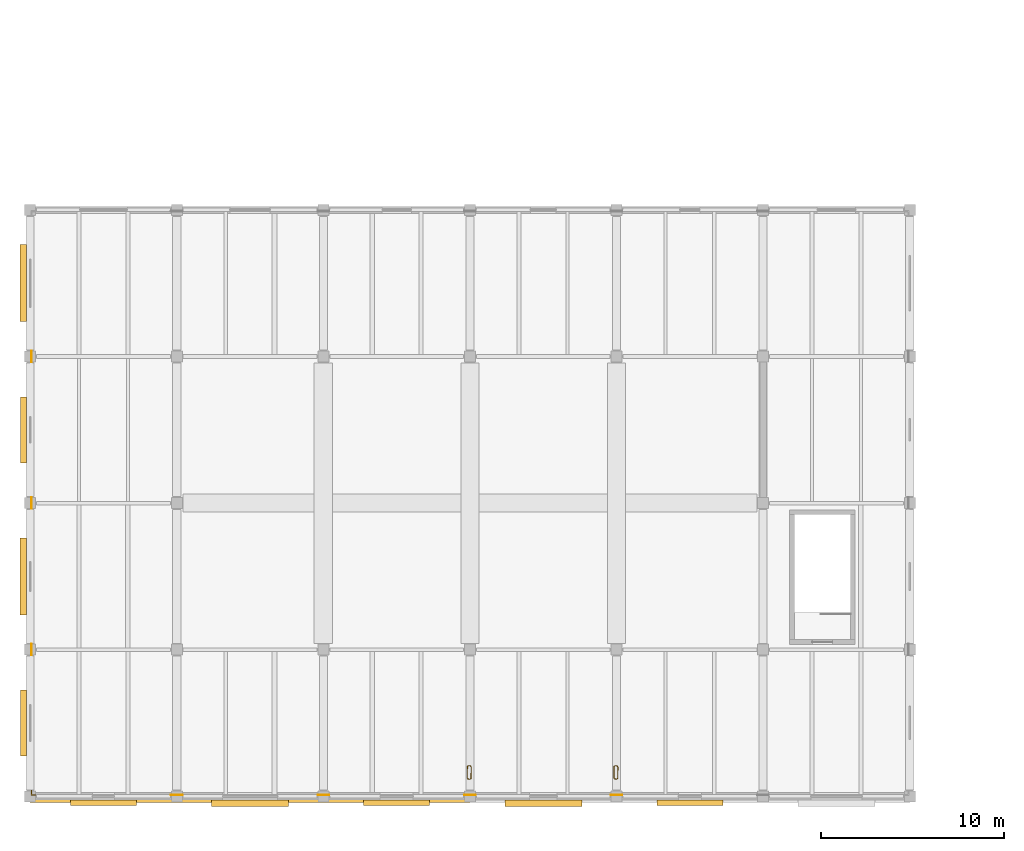
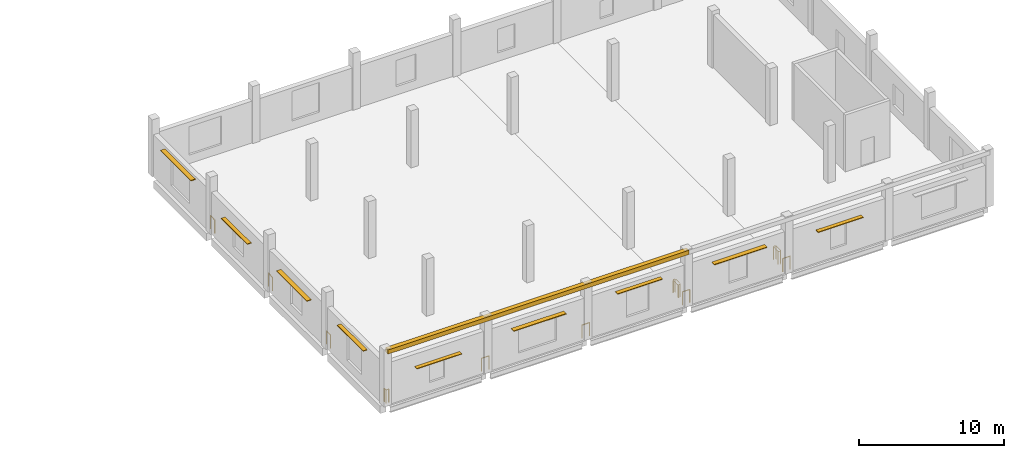
# One storey, part 37 of 52: 10 railings, 9 shading devices, 1 covering.
"""IFC4 building model written with IfcOpenShell, lengths in metres."""

from ifc_helpers import new_model, si_unit, direction, frame, origin, origin_2d, place, context, subcontext, project, spatial, polyline, rectangle, circle, outline, extrude, material, layer, layer_set, type_object, element, save


model = new_model("IFC4")

# Units and contexts
model_context = context("Model", 3, precision=1e-05, world=origin(), true_north=direction((0.0, 1.0)))
body_context = subcontext(model_context, "Body", "Model", "MODEL_VIEW")
ifc_project = project(units=[si_unit("LENGTHUNIT", "METRE"), si_unit("AREAUNIT", "SQUARE_METRE"), si_unit("VOLUMEUNIT", "CUBIC_METRE"), si_unit("PLANEANGLEUNIT", "RADIAN"), si_unit("MASSUNIT", "GRAM", prefix="KILO")], contexts=[model_context])

# Site, building, storey
site_placement = place(None, origin())
site = spatial("IfcSite", under=ifc_project, at=site_placement, CompositionType="ELEMENT")
building_placement = place(site_placement, origin())
building = spatial("IfcBuilding", under=site, at=building_placement, Name="Pecanmere Concourse Central Library", CompositionType="ELEMENT")
storey_placement = place(building_placement, frame((0.0, 0.0, 10.5)))
storey = spatial("IfcBuildingStorey", under=building, at=storey_placement, Name="L03", CompositionType="ELEMENT", Elevation=10.5)

# Covering
ifc_material_1 = material(Name="Texas cream limestone ashlar masonry", Category="masonry")
ifc_layer = layer(ifc_material_1, 0.06005859375, Name="COV_CLAD_CORNICE")
ifc_layer_set = layer_set([ifc_layer], Name="Texas cream limestone ashlar masonry")
covering_type = type_object("IfcCoveringType", Name="COV_CLAD_CORNICE", PredefinedType="CLADDING", material=ifc_layer_set)
covering_placement = place(storey_placement, frame((0.0, 0.0, 4.39990234375)))
element("IfcCovering", 1, at=covering_placement, inside=storey, type_object=covering_type, Name="Classical Entablature Cornice 01", PredefinedType="CLADDING", context=body_context, shape_type="SweptSolid", body=[
    extrude(outline(polyline([(0.0, -0.35009765625), (24.0, -0.35009765625), (24.0, 0.0), (0.0, 0.0), (0.0, -0.35009765625)])), origin(), (0.0, 0.0, 1.0), 0.35009765625),
])

# Railings
ifc_material_2 = material(Name="Architectural anodized bronze")
railing_type = type_object("IfcRailingType", Name="RAIL_ATRIUM_BAL", PredefinedType="BALUSTRADE", material=ifc_material_2)
for number, where, name in (
    (2, (32.294921875, 0.0703125, 0.0), "Deck Edge Protective Balustrade L03-150"),
    (3, (24.294921875, 0.070068359375, 0.0), "Deck Edge Protective Balustrade L03-151"),
    (4, (16.294921875, 0.070068359375, 0.0), "Deck Edge Protective Balustrade L03-152"),
    (5, (8.294921875, 0.070068359375, 0.0), "Deck Edge Protective Balustrade L03-153"),
):
    element("IfcRailing", number, at=place(storey_placement, frame(where)), inside=storey, type_object=railing_type, Name=name, PredefinedType="BALUSTRADE", context=body_context, shape_type="SweptSolid", body=[
        extrude(circle(Radius=0.02392578125, at=origin_2d()), frame((0.0, 0.0, 1.09619140625), z_axis=(-1.0, 0.0, 0.0), x_axis=(0.0, -1.0, 0.0)), (0.0, 0.0, 1.0), 0.58984375),
        extrude(circle(Radius=0.02099609375, at=origin_2d()), origin(), (0.0, 0.0, 1.0), 1.072021484375),
        extrude(circle(Radius=0.02099609375, at=origin_2d()), frame((-0.58984375, 0.0, 0.0)), (0.0, 0.0, 1.0), 1.072021484375),
    ])
railing_1_placement = place(storey_placement, frame((0.294921875, 0.070068359375, 0.0)))
element("IfcRailing", 6, at=railing_1_placement, inside=storey, type_object=railing_type, Name="Deck Edge Protective Balustrade L03-154", PredefinedType="BALUSTRADE", context=body_context, shape_type="SweptSolid", body=[
    extrude(circle(Radius=0.02392578125, at=origin_2d()), frame((0.0, 0.0, 1.09619140625), z_axis=(-1.0, 0.0, 0.0), x_axis=(0.0, -1.0, 0.0)), (0.0, 0.0, 1.0), 0.224609375),
    extrude(circle(Radius=0.02392578125, at=origin_2d()), frame((-0.224609375, 0.0, 1.09619140625), z_axis=(0.0, 1.0, 0.0), x_axis=(-1.0, 0.0, 0.0)), (0.0, 0.0, 1.0), 0.224853515625),
    extrude(circle(Radius=0.02099609375, at=origin_2d()), origin(), (0.0, 0.0, 1.0), 1.072021484375),
    extrude(circle(Radius=0.02099609375, at=origin_2d()), frame((-0.224609375, 0.0, 0.0)), (0.0, 0.0, 1.0), 1.072021484375),
    extrude(circle(Radius=0.02099609375, at=origin_2d()), frame((-0.224609375, 0.224853515625, 0.0)), (0.0, 0.0, 1.0), 1.072021484375),
])
for number, where, name in (
    (7, (0.0703125, 7.705078125, 0.0), "Deck Edge Protective Balustrade L03-155"),
    (8, (0.070068359375, 15.705078125, 0.0), "Deck Edge Protective Balustrade L03-156"),
    (9, (0.070068359375, 23.705078125, 0.0), "Deck Edge Protective Balustrade L03-157"),
):
    element("IfcRailing", number, at=place(storey_placement, frame(where)), inside=storey, type_object=railing_type, Name=name, PredefinedType="BALUSTRADE", context=body_context, shape_type="SweptSolid", body=[
        extrude(circle(Radius=0.02392578125, at=origin_2d()), frame((0.0, 0.0, 1.09619140625), z_axis=(0.0, 1.0, 0.0), x_axis=(-1.0, 0.0, 0.0)), (0.0, 0.0, 1.0), 0.58984375),
        extrude(circle(Radius=0.02099609375, at=origin_2d()), origin(), (0.0, 0.0, 1.0), 1.072021484375),
        extrude(circle(Radius=0.02099609375, at=origin_2d()), frame((0.0, 0.58984375, 0.0)), (0.0, 0.0, 1.0), 1.072021484375),
    ])
railing_2_placement = place(storey_placement, frame((31.996826171875, 0.930419921875, 0.0)))
element("IfcRailing", 10, at=railing_2_placement, inside=storey, type_object=railing_type, Name="Deck Edge Protective Balustrade L03-159", PredefinedType="BALUSTRADE", context=body_context, shape_type="SweptSolid", body=[
    extrude(circle(Radius=0.02392578125, at=origin_2d()), frame((0.0, 0.0, 1.09619140625), z_axis=(0.806311430369, 0.591491231767, 0.0), x_axis=(-0.591491231767, 0.806311430369, 0.0)), (0.0, 0.0, 1.0), 0.0830078125),
    extrude(circle(Radius=0.02392578125, at=origin_2d()), frame((0.06689453125, 0.049072265625, 1.09619140625), z_axis=(0.009489489668, 0.999954973779, 0.0), x_axis=(-0.999954973779, 0.009489489668, 0.0)), (0.0, 0.0, 1.0), 0.617431640625),
    extrude(circle(Radius=0.02392578125, at=origin_2d()), frame((0.07275390625, 0.66650390625, 1.09619140625), z_axis=(-0.591491231767, 0.806311430369, 0.0), x_axis=(-0.806311430369, -0.591491231767, 0.0)), (0.0, 0.0, 1.0), 0.0830078125),
    extrude(circle(Radius=0.02392578125, at=origin_2d()), frame((0.023681640625, 0.7333984375, 1.09619140625), z_axis=(-0.998195860289, 0.060041856258, 0.0), x_axis=(-0.060041856258, -0.998195860289, 0.0)), (0.0, 0.0, 1.0), 0.09765625),
    extrude(circle(Radius=0.02392578125, at=origin_2d()), frame((-0.07373046875, 0.7392578125, 1.09619140625), z_axis=(-0.806311430369, -0.591491231767, 0.0), x_axis=(0.591491231767, -0.806311430369, 0.0)), (0.0, 0.0, 1.0), 0.0830078125),
    extrude(circle(Radius=0.02392578125, at=origin_2d()), frame((-0.140625, 0.690185546875, 1.09619140625), z_axis=(-0.009489489668, -0.999954973779, 0.0), x_axis=(0.999954973779, -0.009489489668, 0.0)), (0.0, 0.0, 1.0), 0.617431640625),
    extrude(circle(Radius=0.02392578125, at=origin_2d()), frame((-0.146484375, 0.07275390625, 1.09619140625), z_axis=(0.591491231767, -0.806311430369, 0.0), x_axis=(0.806311430369, 0.591491231767, 0.0)), (0.0, 0.0, 1.0), 0.0830078125),
    extrude(circle(Radius=0.02392578125, at=origin_2d()), frame((-0.097412109375, 0.005859375, 1.09619140625), z_axis=(0.998195860289, -0.060041856258, 0.0), x_axis=(0.060041856258, 0.998195860289, 0.0)), (0.0, 0.0, 1.0), 0.09765625),
    extrude(circle(Radius=0.02099609375, at=origin_2d()), origin(), (0.0, 0.0, 1.0), 1.072021484375),
    extrude(circle(Radius=0.02099609375, at=origin_2d()), frame((0.06689453125, 0.049072265625, 0.0)), (0.0, 0.0, 1.0), 1.072021484375),
    extrude(circle(Radius=0.02099609375, at=origin_2d()), frame((0.07275390625, 0.66650390625, 0.0)), (0.0, 0.0, 1.0), 1.072021484375),
    extrude(circle(Radius=0.02099609375, at=origin_2d()), frame((0.023681640625, 0.7333984375, 0.0)), (0.0, 0.0, 1.0), 1.072021484375),
    extrude(circle(Radius=0.02099609375, at=origin_2d()), frame((-0.07373046875, 0.7392578125, 0.0)), (0.0, 0.0, 1.0), 1.072021484375),
    extrude(circle(Radius=0.02099609375, at=origin_2d()), frame((-0.140625, 0.690185546875, 0.0)), (0.0, 0.0, 1.0), 1.072021484375),
    extrude(circle(Radius=0.02099609375, at=origin_2d()), frame((-0.146484375, 0.07275390625, 0.0)), (0.0, 0.0, 1.0), 1.072021484375),
    extrude(circle(Radius=0.02099609375, at=origin_2d()), frame((-0.097412109375, 0.005859375, 0.0)), (0.0, 0.0, 1.0), 1.072021484375),
])
railing_3_placement = place(storey_placement, frame((24.069580078125, 1.596923828125, 0.0)))
element("IfcRailing", 11, at=railing_3_placement, inside=storey, type_object=railing_type, Name="Deck Edge Protective Balustrade L03-160", PredefinedType="BALUSTRADE", context=body_context, shape_type="SweptSolid", body=[
    extrude(circle(Radius=0.02392578125, at=origin_2d()), frame((0.0, 0.0, 1.09619140625), z_axis=(-0.591491231767, 0.806311430369, 0.0), x_axis=(-0.806311430369, -0.591491231767, 0.0)), (0.0, 0.0, 1.0), 0.0830078125),
    extrude(circle(Radius=0.02392578125, at=origin_2d()), frame((-0.049072265625, 0.06689453125, 1.09619140625), z_axis=(-0.998195860289, 0.060041856258, 0.0), x_axis=(-0.060041856258, -0.998195860289, 0.0)), (0.0, 0.0, 1.0), 0.09765625),
    extrude(circle(Radius=0.02392578125, at=origin_2d()), frame((-0.146484375, 0.07275390625, 1.09619140625), z_axis=(-0.806311430369, -0.591491231767, 0.0), x_axis=(0.591491231767, -0.806311430369, 0.0)), (0.0, 0.0, 1.0), 0.0830078125),
    extrude(circle(Radius=0.02392578125, at=origin_2d()), frame((-0.21337890625, 0.023681640625, 1.09619140625), z_axis=(-0.009489489668, -0.999954973779, 0.0), x_axis=(0.999954973779, -0.009489489668, 0.0)), (0.0, 0.0, 1.0), 0.617431640625),
    extrude(circle(Radius=0.02392578125, at=origin_2d()), frame((-0.21923828125, -0.59375, 1.09619140625), z_axis=(0.591491231767, -0.806311430369, 0.0), x_axis=(0.806311430369, 0.591491231767, 0.0)), (0.0, 0.0, 1.0), 0.0830078125),
    extrude(circle(Radius=0.02392578125, at=origin_2d()), frame((-0.170166015625, -0.66064453125, 1.09619140625), z_axis=(0.998195860289, -0.060041856258, 0.0), x_axis=(0.060041856258, 0.998195860289, 0.0)), (0.0, 0.0, 1.0), 0.09765625),
    extrude(circle(Radius=0.02392578125, at=origin_2d()), frame((-0.07275390625, -0.66650390625, 1.09619140625), z_axis=(0.806311430369, 0.591491231767, 0.0), x_axis=(-0.591491231767, 0.806311430369, 0.0)), (0.0, 0.0, 1.0), 0.0830078125),
    extrude(circle(Radius=0.02392578125, at=origin_2d()), frame((-0.005859375, -0.617431640625, 1.09619140625), z_axis=(0.009489489668, 0.999954973779, 0.0), x_axis=(-0.999954973779, 0.009489489668, 0.0)), (0.0, 0.0, 1.0), 0.617431640625),
    extrude(circle(Radius=0.02099609375, at=origin_2d()), origin(), (0.0, 0.0, 1.0), 1.072021484375),
    extrude(circle(Radius=0.02099609375, at=origin_2d()), frame((-0.049072265625, 0.06689453125, 0.0)), (0.0, 0.0, 1.0), 1.072021484375),
    extrude(circle(Radius=0.02099609375, at=origin_2d()), frame((-0.146484375, 0.07275390625, 0.0)), (0.0, 0.0, 1.0), 1.072021484375),
    extrude(circle(Radius=0.02099609375, at=origin_2d()), frame((-0.21337890625, 0.023681640625, 0.0)), (0.0, 0.0, 1.0), 1.072021484375),
    extrude(circle(Radius=0.02099609375, at=origin_2d()), frame((-0.21923828125, -0.59375, 0.0)), (0.0, 0.0, 1.0), 1.072021484375),
    extrude(circle(Radius=0.02099609375, at=origin_2d()), frame((-0.170166015625, -0.66064453125, 0.0)), (0.0, 0.0, 1.0), 1.072021484375),
    extrude(circle(Radius=0.02099609375, at=origin_2d()), frame((-0.07275390625, -0.66650390625, 0.0)), (0.0, 0.0, 1.0), 1.072021484375),
    extrude(circle(Radius=0.02099609375, at=origin_2d()), frame((-0.005859375, -0.617431640625, 0.0)), (0.0, 0.0, 1.0), 1.072021484375),
])

# Shading devices
ifc_material_3 = material(Name="Architectural anodized bronze")
shading_device_type_1 = type_object("IfcShadingDeviceType", Name="SHD_BRISE_1", PredefinedType="AWNING", material=ifc_material_3)
for number, where, z_axis, x_axis, name in (
    (12, (12.0, -0.375, 2.949951171875), (0.0, 0.0, 1.0), (1.0, 0.0, 0.0), "Bronze Solar Brise-Soleil L03-028"),
    (13, (28.0, -0.375, 2.949951171875), (0.0, 0.0, 1.0), (1.0, 0.0, 0.0), "Bronze Solar Brise-Soleil L03-030"),
    (14, (-0.375, 12.0, 2.800048828125), (0.0, 0.0, 1.0), (0.0, -1.0, 0.0), "Bronze Solar Brise-Soleil L03-034"),
    (15, (-0.375, 28.0, 3.25), (0.0, 0.0, 1.0), (0.0, -1.0, 0.0), "Bronze Solar Brise-Soleil L03-036"),
):
    element("IfcShadingDevice", number, at=place(storey_placement, frame(where, z_axis=z_axis, x_axis=x_axis)), inside=storey, type_object=shading_device_type_1, Name=name, PredefinedType="AWNING", context=body_context, shape_type="SweptSolid", body=[
        extrude(rectangle(XDim=4.199951171875, YDim=0.360107421875, at=origin_2d()), origin(), (0.0, 0.0, 1.0), 0.06005859375),
    ])
ifc_material_4 = material(Name="Architectural anodized bronze")
shading_device_type_2 = type_object("IfcShadingDeviceType", Name="SHD_BRISE_2", PredefinedType="AWNING", material=ifc_material_4)
for number, where, z_axis, x_axis, name in (
    (16, (4.0, -0.35498046875, 2.45263671875), (0.0, 0.0, 1.0), (1.0, 0.0, 0.0), "Bronze Solar Brise-Soleil L03-027"),
    (17, (20.0, -0.35498046875, 3.15234375), (0.0, 0.0, 1.0), (1.0, 0.0, 0.0), "Bronze Solar Brise-Soleil L03-029"),
    (18, (36.0, -0.35498046875, 2.75244140625), (0.0, 0.0, 1.0), (1.0, 0.0, 0.0), "Bronze Solar Brise-Soleil L03-031"),
    (19, (-0.35498046875, 4.0, 3.25244140625), (0.0, 0.0, 1.0), (0.0, -1.0, 0.0), "Bronze Solar Brise-Soleil L03-033"),
    (20, (-0.35498046875, 20.0, 2.552734375), (0.0, 0.0, 1.0), (0.0, -1.0, 0.0), "Bronze Solar Brise-Soleil L03-035"),
):
    element("IfcShadingDevice", number, at=place(storey_placement, frame(where, z_axis=z_axis, x_axis=x_axis)), inside=storey, type_object=shading_device_type_2, Name=name, PredefinedType="AWNING", context=body_context, shape_type="SweptSolid", body=[
        extrude(rectangle(XDim=3.60009765625, YDim=0.320068359375, at=origin_2d()), origin(), (0.0, 0.0, 1.0), 0.054931640625),
    ])

save(model, "model.ifc")
